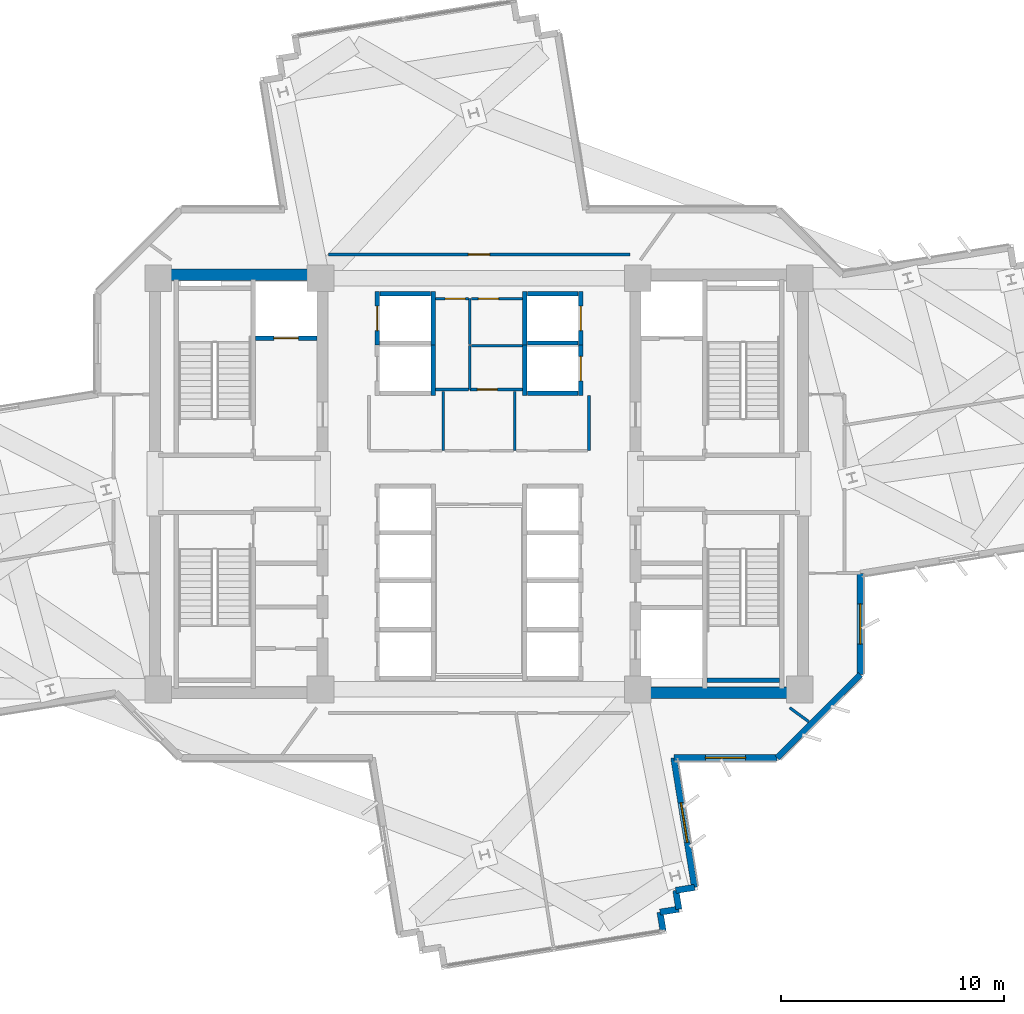
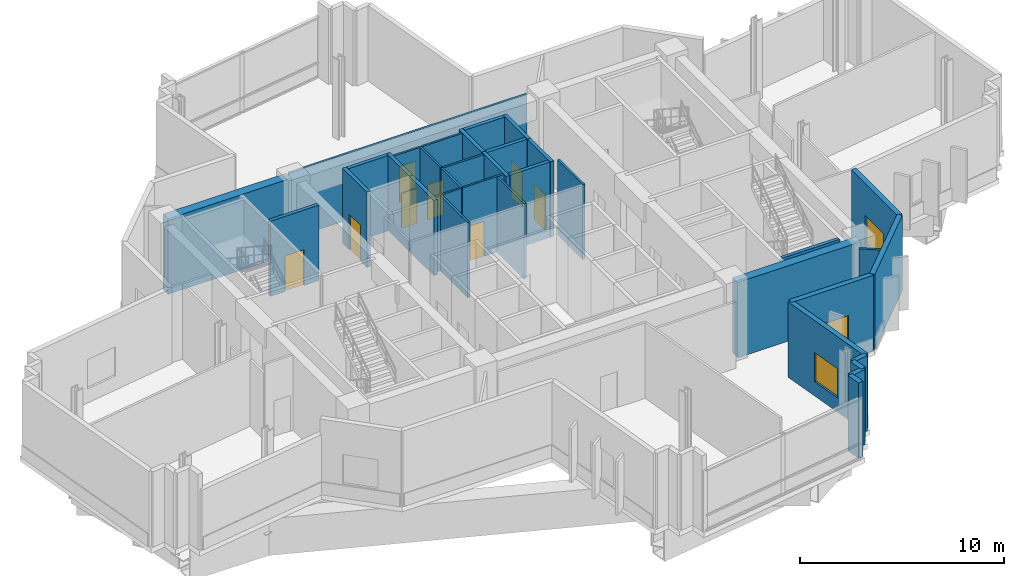
# One storey, part 7 of 12: 35 walls, 8 doors, 3 windows, 11 openings.
"""IFC4 building model written with IfcOpenShell, lengths in metres."""

from ifc_helpers import new_model, si_unit, direction, frame, frame_2d, origin, place, context, subcontext, project, spatial, rectangle, extrude, source, transform, mapped, material, layer, layer_set, type_object, element, fill, save


model = new_model("IFC4")

# Units and contexts
model_context = context("Model", 3, precision=1e-05, world=origin(), true_north=direction((0.0, 1.0)))
body_context = subcontext(model_context, "Body", "Model", "MODEL_VIEW")
ifc_project = project(units=[si_unit("LENGTHUNIT", "METRE"), si_unit("AREAUNIT", "SQUARE_METRE"), si_unit("VOLUMEUNIT", "CUBIC_METRE"), si_unit("PLANEANGLEUNIT", "RADIAN"), si_unit("MASSUNIT", "GRAM", prefix="KILO")], contexts=[model_context])

# Site, building, storey
site_placement = place(None, origin())
site = spatial("IfcSite", under=ifc_project, at=site_placement, CompositionType="ELEMENT")
building_placement = place(site_placement, origin())
building = spatial("IfcBuilding", under=site, at=building_placement, Name="Zahravan Cultural Tower", CompositionType="ELEMENT")
storey_placement = place(building_placement, frame((0.0, 0.0, 130.800048828125)))
storey = spatial("IfcBuildingStorey", under=building, at=storey_placement, Name="L29", CompositionType="ELEMENT", Elevation=130.800048828125)

# Wall, opening, window
ifc_material_1 = material(Name="Precast concrete C40/50", Category="concrete")
ifc_layer_1 = layer(ifc_material_1, 0.280029296875)
ifc_layer_set_1 = layer_set([ifc_layer_1], Name="Precast concrete C40/50")
wall_type_1 = type_object("IfcWallType", Name="EW-TC-280", PredefinedType="SOLIDWALL", material=ifc_layer_set_1)
wall_1_placement = place(storey_placement, frame((53.06005859375, 22.993408203125, 0.0), z_axis=(0.0, 0.0, 1.0), x_axis=(0.0, -1.0, 0.0)))
wall_1 = element("IfcWall", 1, at=wall_1_placement, inside=storey, type_object=wall_type_1, Name="L29 Exterior Masonry Frame Wall 12", PredefinedType="SOLIDWALL", context=body_context, shape_type="SweptSolid", body=[
    extrude(rectangle(XDim=4.535400390625, YDim=0.280029296875, at=frame_2d((2.267578125, 0.0))), origin(), (0.0, 0.0, 1.0), 4.52001953125),
])
opening_1_placement = place(wall_1_placement, frame((1.367919921875, 0.0, 0.85009765625)))
opening_1 = element("IfcOpeningElement", 2, at=opening_1_placement, cuts=wall_1, Name="Opening WN-02", PredefinedType="OPENING", context=body_context, shape_type="SweptSolid", body=[
    extrude(rectangle(XDim=1.800048828125, YDim=1.75, at=frame_2d((0.89990234375, 0.875))), frame((0.0, 0.14990234375, 0.0), z_axis=(0.0, -1.0, 0.0), x_axis=(1.0, 0.0, 0.0)), (0.0, 0.0, 1.0), 0.300048828125),
])
ifc_material_2 = material(Name="Low-E solar-control double glazing", Category="glass")
window_type = type_object("IfcWindowType", Name="WN-REC-1800X1750", PartitioningType="DOUBLE_PANEL_VERTICAL", PredefinedType="WINDOW", material=ifc_material_2)
shared_shape_1 = source(origin(), body_context, "Body", "SweptSolid", [
    extrude(rectangle(XDim=1.800048828125, YDim=1.75, at=frame_2d((0.89990234375, 0.875))), frame((0.0, 0.030029296875, 0.0), z_axis=(0.0, -1.0, 0.0), x_axis=(1.0, 0.0, 0.0)), (0.0, 0.0, 1.0), 0.06005859375),
])
window_1_placement = place(opening_1_placement, origin())
window_1 = element("IfcWindow", 3, at=window_1_placement, inside=storey, type_object=window_type, Name="L29 Recessed Solar Window 02", OverallHeight=1.75, OverallWidth=1.800048828125, PartitioningType="DOUBLE_PANEL_VERTICAL", PredefinedType="WINDOW", context=body_context, shape_type="MappedRepresentation", body=[
    mapped(shared_shape_1, transform((0.0, 0.0, 0.0), x_axis=(1.0, 0.0, 0.0), y_axis=(0.0, 1.0, 0.0), z_axis=(0.0, 0.0, 1.0), scale=1.0)),
])
fill(opening_1, window_1)

wall_2_placement = place(storey_placement, frame((49.342041015625, 14.739990234375, 0.0), z_axis=(0.0, 0.0, 1.0), x_axis=(-1.0, 0.0, 0.0)))
wall_2 = element("IfcWall", 4, at=wall_2_placement, inside=storey, type_object=wall_type_1, Name="L29 Exterior Masonry Frame Wall 14", PredefinedType="SOLIDWALL", context=body_context, shape_type="SweptSolid", body=[
    extrude(rectangle(XDim=4.628662109375, YDim=0.280029296875, at=frame_2d((2.314453125, 0.0))), origin(), (0.0, 0.0, 1.0), 4.52001953125),
])
opening_2_placement = place(wall_2_placement, frame((1.4140625, 0.0, 0.85009765625)))
opening_2 = element("IfcOpeningElement", 5, at=opening_2_placement, cuts=wall_2, Name="Opening WN-02", PredefinedType="OPENING", context=body_context, shape_type="SweptSolid", body=[
    extrude(rectangle(XDim=1.800048828125, YDim=1.75, at=frame_2d((0.89990234375, 0.875))), frame((0.0, 0.14990234375, 0.0), z_axis=(0.0, -1.0, 0.0), x_axis=(1.0, 0.0, 0.0)), (0.0, 0.0, 1.0), 0.300048828125),
])
window_2_placement = place(opening_2_placement, origin())
window_2 = element("IfcWindow", 6, at=window_2_placement, inside=storey, type_object=window_type, Name="L29 Recessed Solar Window 03", OverallHeight=1.75, OverallWidth=1.800048828125, PartitioningType="DOUBLE_PANEL_VERTICAL", PredefinedType="WINDOW", context=body_context, shape_type="MappedRepresentation", body=[
    mapped(shared_shape_1, transform((0.0, 0.0, 0.0), x_axis=(1.0, 0.0, 0.0), y_axis=(0.0, 1.0, 0.0), z_axis=(0.0, 0.0, 1.0), scale=1.0)),
])
fill(opening_2, window_2)

wall_3_placement = place(storey_placement, frame((44.71337890625, 14.739990234375, 0.0), z_axis=(0.0, 0.0, 1.0), x_axis=(0.158478405349, -0.987362443603, 0.0)))
wall_3 = element("IfcWall", 7, at=wall_3_placement, inside=storey, type_object=wall_type_1, Name="L29 Exterior Masonry Frame Wall 15", PredefinedType="SOLIDWALL", context=body_context, shape_type="SweptSolid", body=[
    extrude(rectangle(XDim=5.8740234375, YDim=0.280029296875, at=frame_2d((2.93701171875, 0.0))), origin(), (0.0, 0.0, 1.0), 4.52001953125),
])
opening_3_placement = place(wall_3_placement, frame((2.037109375, 0.0, 0.85009765625)))
opening_3 = element("IfcOpeningElement", 8, at=opening_3_placement, cuts=wall_3, Name="Opening WN-02", PredefinedType="OPENING", context=body_context, shape_type="SweptSolid", body=[
    extrude(rectangle(XDim=1.800048828125, YDim=1.75, at=frame_2d((0.89990234375, 0.875))), frame((0.0, 0.14990234375, 0.0), z_axis=(0.0, -1.0, 0.0), x_axis=(1.0, 0.0, 0.0)), (0.0, 0.0, 1.0), 0.300048828125),
])
window_3_placement = place(opening_3_placement, origin())
window_3 = element("IfcWindow", 9, at=window_3_placement, inside=storey, type_object=window_type, Name="L29 Recessed Solar Window 04", OverallHeight=1.75, OverallWidth=1.800048828125, PartitioningType="DOUBLE_PANEL_VERTICAL", PredefinedType="WINDOW", context=body_context, shape_type="MappedRepresentation", body=[
    mapped(shared_shape_1, transform((0.0, 0.0, 0.0), x_axis=(1.0, 0.0, 0.0), y_axis=(0.0, 1.0, 0.0), z_axis=(0.0, 0.0, 1.0), scale=1.0)),
])
fill(opening_3, window_3)

# Wall, opening, door
ifc_material_3 = material(Name="Gypsum plasterboard partition")
ifc_layer_2 = layer(ifc_material_3, 0.125)
ifc_layer_set_2 = layer_set([ifc_layer_2], Name="Gypsum plasterboard partition")
wall_type_2 = type_object("IfcWallType", Name="W-PART-125", PredefinedType="PARTITIONING", material=ifc_layer_set_2)
wall_4_placement = place(storey_placement, frame((42.744140625, 37.260009765625, 0.0), z_axis=(0.0, 0.0, 1.0), x_axis=(-0.999999999345, -3.6194509e-05, 0.0)))
wall_4 = element("IfcWall", 10, at=wall_4_placement, inside=storey, type_object=wall_type_2, Name="L29 Interior Wall 104", PredefinedType="PARTITIONING", context=body_context, shape_type="SweptSolid", body=[
    extrude(rectangle(XDim=13.490478515625, YDim=0.125, at=frame_2d((6.7451171875, 0.0))), origin(), (0.0, 0.0, 1.0), 3.97900390625),
])
opening_4_placement = place(wall_4_placement, frame((6.270263671875, 0.0, 0.0)))
opening_4 = element("IfcOpeningElement", 11, at=opening_4_placement, cuts=wall_4, Name="Opening D-L29-23", PredefinedType="OPENING", context=body_context, shape_type="SweptSolid", body=[
    extrude(rectangle(XDim=0.949951171875, YDim=2.14990234375, at=frame_2d((0.47509765625, 1.074951171875))), frame((0.0, 0.072509765625, 0.0), z_axis=(0.0, -1.0, 0.0), x_axis=(1.0, 0.0, 0.0)), (0.0, 0.0, 1.0), 0.14501953125),
])
ifc_material_4 = material(Name="Anodised bronze-aluminium mullion", Category="aluminium")
door_type_1 = type_object("IfcDoorType", Name="DR-ROOM-950", OperationType="NOTDEFINED", PredefinedType="DOOR", material=ifc_material_4)
shared_shape_2 = source(origin(), body_context, "Body", "SweptSolid", [
    extrude(rectangle(XDim=0.949951171875, YDim=2.14990234375, at=frame_2d((0.47509765625, 1.074951171875))), frame((0.0, 0.02490234375, 0.0), z_axis=(0.0, -1.0, 0.0), x_axis=(1.0, 0.0, 0.0)), (0.0, 0.0, 1.0), 0.050048828125),
])
door_1_placement = place(opening_4_placement, origin())
door_1 = element("IfcDoor", 12, at=door_1_placement, inside=storey, type_object=door_type_1, Name="L29 Door D-L29-23", OperationType="SINGLE_SWING_RIGHT", OverallHeight=2.14990234375, OverallWidth=0.949951171875, PredefinedType="DOOR", context=body_context, shape_type="MappedRepresentation", body=[
    mapped(shared_shape_2, transform((0.0, 0.0, 0.0), x_axis=(1.0, 0.0, 0.0), y_axis=(0.0, 1.0, 0.0), z_axis=(0.0, 0.0, 1.0), scale=1.0)),
])
fill(opening_4, door_1)

ifc_material_5 = material(Name="Concrete C45/55", Category="concrete")
ifc_layer_3 = layer(ifc_material_5, 0.199951171875)
ifc_layer_set_3 = layer_set([ifc_layer_3], Name="Concrete C45/55")
wall_type_3 = type_object("IfcWallType", Name="W-SHAFT-200", PredefinedType="SOLIDWALL", material=ifc_layer_set_3)
wall_5_placement = place(storey_placement, frame((26.0, 33.52001953125, 0.0), z_axis=(0.0, 0.0, 1.0), x_axis=(1.0, 0.0, 0.0)))
wall_5 = element("IfcWall", 13, at=wall_5_placement, inside=storey, type_object=wall_type_3, Name="L29 Interior Wall 021", PredefinedType="SOLIDWALL", context=body_context, shape_type="SweptSolid", body=[
    extrude(rectangle(XDim=2.75, YDim=0.199951171875, at=frame_2d((1.375, 0.0))), origin(), (0.0, 0.0, 1.0), 4.52001953125),
])
opening_5_placement = place(wall_5_placement, frame((0.820068359375, 0.0, 0.0)))
opening_5 = element("IfcOpeningElement", 14, at=opening_5_placement, cuts=wall_5, Name="Opening LD-L29-01", PredefinedType="OPENING", context=body_context, shape_type="SweptSolid", body=[
    extrude(rectangle(XDim=1.10009765625, YDim=2.14990234375, at=frame_2d((0.550048828125, 1.074951171875))), frame((0.0, 0.10986328125, 0.0), z_axis=(0.0, -1.0, 0.0), x_axis=(1.0, 0.0, 0.0)), (0.0, 0.0, 1.0), 0.219970703125),
])
ifc_material_6 = material(Name="Steel ASTM A572 Grade 50", Category="steel")
door_type_2 = type_object("IfcDoorType", Name="DR-LIFT-1100", OperationType="DOUBLE_DOOR_SLIDING", PredefinedType="DOOR", material=ifc_material_6)
shared_shape_3 = source(origin(), body_context, "Body", "SweptSolid", [
    extrude(rectangle(XDim=1.10009765625, YDim=2.14990234375, at=frame_2d((0.550048828125, 1.074951171875))), frame((0.0, 0.02490234375, 0.0), z_axis=(0.0, -1.0, 0.0), x_axis=(1.0, 0.0, 0.0)), (0.0, 0.0, 1.0), 0.050048828125),
])
door_2_placement = place(opening_5_placement, origin())
door_2 = element("IfcDoor", 15, at=door_2_placement, inside=storey, type_object=door_type_2, Name="L29 Door LD-L29-01", OperationType="DOUBLE_DOOR_SLIDING", OverallHeight=2.14990234375, OverallWidth=1.10009765625, PredefinedType="DOOR", context=body_context, shape_type="MappedRepresentation", body=[
    mapped(shared_shape_3, transform((0.0, 0.0, 0.0), x_axis=(1.0, 0.0, 0.0), y_axis=(0.0, 1.0, 0.0), z_axis=(0.0, 0.0, 1.0), scale=1.0)),
])
fill(opening_5, door_2)

wall_6_placement = place(storey_placement, frame((31.449951171875, 33.199951171875, 0.0), z_axis=(0.0, 0.0, 1.0), x_axis=(0.0, 1.0, 0.0)))
wall_6 = element("IfcWall", 16, at=wall_6_placement, inside=storey, type_object=wall_type_3, Name="L29 Interior Wall 029", PredefinedType="SOLIDWALL", context=body_context, shape_type="SweptSolid", body=[
    extrude(rectangle(XDim=2.400146484375, YDim=0.199951171875, at=frame_2d((1.2001953125, 0.0))), origin(), (0.0, 0.0, 1.0), 4.52001953125),
])
opening_6_placement = place(wall_6_placement, frame((0.64990234375, 0.0, 0.0)))
opening_6 = element("IfcOpeningElement", 17, at=opening_6_placement, cuts=wall_6, Name="Opening LD-L29-04", PredefinedType="OPENING", context=body_context, shape_type="SweptSolid", body=[
    extrude(rectangle(XDim=1.10009765625, YDim=2.14990234375, at=frame_2d((0.550048828125, 1.074951171875))), frame((0.0, 0.10986328125, 0.0), z_axis=(0.0, -1.0, 0.0), x_axis=(1.0, 0.0, 0.0)), (0.0, 0.0, 1.0), 0.219970703125),
])
door_3_placement = place(opening_6_placement, origin())
door_3 = element("IfcDoor", 18, at=door_3_placement, inside=storey, type_object=door_type_2, Name="L29 Door LD-L29-04", OperationType="DOUBLE_DOOR_SLIDING", OverallHeight=2.14990234375, OverallWidth=1.10009765625, PredefinedType="DOOR", context=body_context, shape_type="MappedRepresentation", body=[
    mapped(shared_shape_3, transform((0.0, 0.0, 0.0), x_axis=(1.0, 0.0, 0.0), y_axis=(0.0, 1.0, 0.0), z_axis=(0.0, 0.0, 1.0), scale=1.0)),
])
fill(opening_6, door_3)

wall_7_placement = place(storey_placement, frame((40.550048828125, 33.199951171875, 0.0), z_axis=(0.0, 0.0, 1.0), x_axis=(0.0, 1.0, 0.0)))
wall_7 = element("IfcWall", 19, at=wall_7_placement, inside=storey, type_object=wall_type_3, Name="L29 Interior Wall 037", PredefinedType="SOLIDWALL", context=body_context, shape_type="SweptSolid", body=[
    extrude(rectangle(XDim=2.400146484375, YDim=0.199951171875, at=frame_2d((1.2001953125, 0.0))), origin(), (0.0, 0.0, 1.0), 4.52001953125),
])
opening_7_placement = place(wall_7_placement, frame((0.64990234375, 0.0, 0.0)))
opening_7 = element("IfcOpeningElement", 20, at=opening_7_placement, cuts=wall_7, Name="Opening LD-L29-06", PredefinedType="OPENING", context=body_context, shape_type="SweptSolid", body=[
    extrude(rectangle(XDim=1.10009765625, YDim=2.14990234375, at=frame_2d((0.550048828125, 1.074951171875))), frame((0.0, 0.10986328125, 0.0), z_axis=(0.0, -1.0, 0.0), x_axis=(1.0, 0.0, 0.0)), (0.0, 0.0, 1.0), 0.219970703125),
])
door_4_placement = place(opening_7_placement, origin())
door_4 = element("IfcDoor", 21, at=door_4_placement, inside=storey, type_object=door_type_2, Name="L29 Door LD-L29-06", OperationType="DOUBLE_DOOR_SLIDING", OverallHeight=2.14990234375, OverallWidth=1.10009765625, PredefinedType="DOOR", context=body_context, shape_type="MappedRepresentation", body=[
    mapped(shared_shape_3, transform((0.0, 0.0, 0.0), x_axis=(1.0, 0.0, 0.0), y_axis=(0.0, 1.0, 0.0), z_axis=(0.0, 0.0, 1.0), scale=1.0)),
])
fill(opening_7, door_4)

wall_8_placement = place(storey_placement, frame((40.550048828125, 30.949951171875, 0.0), z_axis=(0.0, 0.0, 1.0), x_axis=(0.0, 1.0, 0.0)))
wall_8 = element("IfcWall", 22, at=wall_8_placement, inside=storey, type_object=wall_type_3, Name="L29 Interior Wall 041", PredefinedType="SOLIDWALL", context=body_context, shape_type="SweptSolid", body=[
    extrude(rectangle(XDim=2.400146484375, YDim=0.199951171875, at=frame_2d((1.2001953125, 0.0))), origin(), (0.0, 0.0, 1.0), 4.52001953125),
])
opening_8_placement = place(wall_8_placement, frame((0.64990234375, 0.0, 0.0)))
opening_8 = element("IfcOpeningElement", 23, at=opening_8_placement, cuts=wall_8, Name="Opening LD-L29-07", PredefinedType="OPENING", context=body_context, shape_type="SweptSolid", body=[
    extrude(rectangle(XDim=1.10009765625, YDim=2.14990234375, at=frame_2d((0.550048828125, 1.074951171875))), frame((0.0, 0.10986328125, 0.0), z_axis=(0.0, -1.0, 0.0), x_axis=(1.0, 0.0, 0.0)), (0.0, 0.0, 1.0), 0.219970703125),
])
door_5_placement = place(opening_8_placement, origin())
door_5 = element("IfcDoor", 24, at=door_5_placement, inside=storey, type_object=door_type_2, Name="L29 Door LD-L29-07", OperationType="DOUBLE_DOOR_SLIDING", OverallHeight=2.14990234375, OverallWidth=1.10009765625, PredefinedType="DOOR", context=body_context, shape_type="MappedRepresentation", body=[
    mapped(shared_shape_3, transform((0.0, 0.0, 0.0), x_axis=(1.0, 0.0, 0.0), y_axis=(0.0, 1.0, 0.0), z_axis=(0.0, 0.0, 1.0), scale=1.0)),
])
fill(opening_8, door_5)

ifc_layer_4 = layer(ifc_material_3, 0.114990234375)
ifc_layer_set_4 = layer_set([ifc_layer_4], Name="Gypsum plasterboard partition")
wall_type_4 = type_object("IfcWallType", Name="W-WC-115", PredefinedType="PARTITIONING", material=ifc_layer_set_4)
wall_9_placement = place(storey_placement, frame((37.945068359375, 31.219970703125, 0.0), z_axis=(0.0, 0.0, 1.0), x_axis=(-1.0, 0.0, 0.0)))
wall_9 = element("IfcWall", 25, at=wall_9_placement, inside=storey, type_object=wall_type_4, Name="L29 Interior Wall 069", PredefinedType="PARTITIONING", context=body_context, shape_type="SweptSolid", body=[
    extrude(rectangle(XDim=2.35498046875, YDim=0.114990234375, at=frame_2d((1.177490234375, 0.0))), origin(), (0.0, 0.0, 1.0), 4.52001953125),
])
opening_9_placement = place(wall_9_placement, frame((1.120849609375, 0.0, 0.0)))
opening_9 = element("IfcOpeningElement", 26, at=opening_9_placement, cuts=wall_9, Name="Opening D-L29-26", PredefinedType="OPENING", context=body_context, shape_type="SweptSolid", body=[
    extrude(rectangle(XDim=0.89990234375, YDim=2.10009765625, at=frame_2d((0.449951171875, 1.050048828125))), frame((0.0, 0.0673828125, 0.0), z_axis=(0.0, -1.0, 0.0), x_axis=(1.0, 0.0, 0.0)), (0.0, 0.0, 1.0), 0.135009765625),
])
door_type_3 = type_object("IfcDoorType", Name="DR-WC-900", OperationType="NOTDEFINED", PredefinedType="DOOR", material=ifc_material_4)
shared_shape_4 = source(origin(), body_context, "Body", "SweptSolid", [
    extrude(rectangle(XDim=0.89990234375, YDim=2.10009765625, at=frame_2d((0.449951171875, 1.050048828125))), frame((0.0, 0.02490234375, 0.0), z_axis=(0.0, -1.0, 0.0), x_axis=(1.0, 0.0, 0.0)), (0.0, 0.0, 1.0), 0.050048828125),
])
door_6_placement = place(opening_9_placement, origin())
door_6 = element("IfcDoor", 27, at=door_6_placement, inside=storey, type_object=door_type_3, Name="L29 Door D-L29-26", OperationType="SINGLE_SWING_LEFT", OverallHeight=2.10009765625, OverallWidth=0.89990234375, PredefinedType="DOOR", context=body_context, shape_type="MappedRepresentation", body=[
    mapped(shared_shape_4, transform((0.0, 0.0, 0.0), x_axis=(1.0, 0.0, 0.0), y_axis=(0.0, 1.0, 0.0), z_axis=(0.0, 0.0, 1.0), scale=1.0)),
])
fill(opening_9, door_6)

wall_10_placement = place(storey_placement, frame((35.652587890625, 35.280029296875, 0.0), z_axis=(0.0, 0.0, 1.0), x_axis=(1.0, 0.0, 0.0)))
wall_10 = element("IfcWall", 28, at=wall_10_placement, inside=storey, type_object=wall_type_4, Name="L29 Interior Wall 073", PredefinedType="PARTITIONING", context=body_context, shape_type="SweptSolid", body=[
    extrude(rectangle(XDim=2.29248046875, YDim=0.114990234375, at=frame_2d((1.146240234375, 0.0))), origin(), (0.0, 0.0, 1.0), 4.52001953125),
])
opening_10_placement = place(wall_10_placement, frame((0.3203125, 0.0, 0.0)))
opening_10 = element("IfcOpeningElement", 29, at=opening_10_placement, cuts=wall_10, Name="Opening D-L29-14", PredefinedType="OPENING", context=body_context, shape_type="SweptSolid", body=[
    extrude(rectangle(XDim=0.89990234375, YDim=2.10009765625, at=frame_2d((0.449951171875, 1.050048828125))), frame((0.0, 0.0673828125, 0.0), z_axis=(0.0, -1.0, 0.0), x_axis=(1.0, 0.0, 0.0)), (0.0, 0.0, 1.0), 0.135009765625),
])
door_7_placement = place(opening_10_placement, origin())
door_7 = element("IfcDoor", 30, at=door_7_placement, inside=storey, type_object=door_type_3, Name="L29 Door D-L29-14", OperationType="SINGLE_SWING_LEFT", OverallHeight=2.10009765625, OverallWidth=0.89990234375, PredefinedType="DOOR", context=body_context, shape_type="MappedRepresentation", body=[
    mapped(shared_shape_4, transform((0.0, 0.0, 0.0), x_axis=(1.0, 0.0, 0.0), y_axis=(0.0, 1.0, 0.0), z_axis=(0.0, 0.0, 1.0), scale=1.0)),
])
fill(opening_10, door_7)

wall_11_placement = place(storey_placement, frame((34.054931640625, 35.280029296875, 0.0), z_axis=(0.0, 0.0, 1.0), x_axis=(1.0, 0.0, 0.0)))
wall_11 = element("IfcWall", 31, at=wall_11_placement, inside=storey, type_object=wall_type_4, Name="L29 Interior Wall 075", PredefinedType="PARTITIONING", context=body_context, shape_type="SweptSolid", body=[
    extrude(rectangle(XDim=1.47265625, YDim=0.114990234375, at=frame_2d((0.736328125, 0.0))), origin(), (0.0, 0.0, 1.0), 4.52001953125),
])
opening_11_placement = place(wall_11_placement, frame((0.4326171875, 0.0, 0.0)))
opening_11 = element("IfcOpeningElement", 32, at=opening_11_placement, cuts=wall_11, Name="Opening D-L29-13", PredefinedType="OPENING", context=body_context, shape_type="SweptSolid", body=[
    extrude(rectangle(XDim=0.89990234375, YDim=2.10009765625, at=frame_2d((0.449951171875, 1.050048828125))), frame((0.0, 0.0673828125, 0.0), z_axis=(0.0, -1.0, 0.0), x_axis=(1.0, 0.0, 0.0)), (0.0, 0.0, 1.0), 0.135009765625),
])
door_8_placement = place(opening_11_placement, origin())
door_8 = element("IfcDoor", 33, at=door_8_placement, inside=storey, type_object=door_type_3, Name="L29 Door D-L29-13", OperationType="SINGLE_SWING_RIGHT", OverallHeight=2.10009765625, OverallWidth=0.89990234375, PredefinedType="DOOR", context=body_context, shape_type="MappedRepresentation", body=[
    mapped(shared_shape_4, transform((0.0, 0.0, 0.0), x_axis=(1.0, 0.0, 0.0), y_axis=(0.0, 1.0, 0.0), z_axis=(0.0, 0.0, 1.0), scale=1.0)),
])
fill(opening_11, door_8)

# Walls
ifc_material_7 = material(Name="Concrete C60/75", Category="concrete")
ifc_layer_5 = layer(ifc_material_7, 0.5)
ifc_layer_set_5 = layer_set([ifc_layer_5], Name="Concrete C60/75")
wall_type_5 = type_object("IfcWallType", Name="CW-SHEAR-500-C60", PredefinedType="SHEAR", material=ifc_layer_set_5)
shared_shape_5 = source(origin(), body_context, "Body", "SweptSolid", [
    extrude(rectangle(XDim=7.0, YDim=0.5, at=frame_2d((3.5, 0.0))), origin(), (0.0, 0.0, 1.0), 4.52001953125),
])
for number, where, z_axis, x_axis, name in (
    (34, (21.75, 36.35009765625, 0.0), (0.0, 0.0, 1.0), (1.0, 0.0, 0.0), "L29 Core Shear Wall CW-W-N-L29"),
    (35, (43.25, 17.64990234375, 0.0), (0.0, 0.0, 1.0), (1.0, 0.0, 0.0), "L29 Core Shear Wall CW-E-S-L29"),
):
    element("IfcWall", number, at=place(storey_placement, frame(where, z_axis=z_axis, x_axis=x_axis)), inside=storey, type_object=wall_type_5, Name=name, PredefinedType="SHEAR", context=body_context, shape_type="MappedRepresentation", body=[
        mapped(shared_shape_5, transform((0.0, 0.0, 0.0), x_axis=(1.0, 0.0, 0.0), y_axis=(0.0, 1.0, 0.0), z_axis=(0.0, 0.0, 1.0), scale=1.0)),
    ])
shared_shape_6 = source(origin(), body_context, "Body", "SweptSolid", [
    extrude(rectangle(XDim=0.849853515625, YDim=0.280029296875, at=frame_2d((0.4248046875, 0.0))), origin(), (0.0, 0.0, 1.0), 4.52001953125),
])
for number, where, z_axis, x_axis, name in (
    (36, (45.644287109375, 8.940185546875, 0.0), (0.0, 0.0, 1.0), (-0.987392182174, -0.158293014948, 0.0), "L29 Exterior Masonry Frame Wall 16"),
    (37, (44.1005859375, 7.83154296875, 0.0), (0.0, 0.0, 1.0), (0.15857308062, -0.98734724292, 0.0), "L29 Exterior Masonry Frame Wall 19"),
):
    element("IfcWall", number, at=place(storey_placement, frame(where, z_axis=z_axis, x_axis=x_axis)), inside=storey, type_object=wall_type_1, Name=name, PredefinedType="SOLIDWALL", context=body_context, shape_type="MappedRepresentation", body=[
        mapped(shared_shape_6, transform((0.0, 0.0, 0.0), x_axis=(1.0, 0.0, 0.0), y_axis=(0.0, 1.0, 0.0), z_axis=(0.0, 0.0, 1.0), scale=1.0)),
    ])
shared_shape_7 = source(origin(), body_context, "Body", "SweptSolid", [
    extrude(rectangle(XDim=0.85009765625, YDim=0.280029296875, at=frame_2d((0.425048828125, 0.0))), origin(), (0.0, 0.0, 1.0), 4.52001953125),
])
for number, where, z_axis, x_axis, name in (
    (38, (44.80517578125, 8.8056640625, 0.0), (0.0, 0.0, 1.0), (0.158528116284, -0.987354463376, 0.0), "L29 Exterior Masonry Frame Wall 17"),
    (39, (44.93994140625, 7.96630859375, 0.0), (0.0, 0.0, 1.0), (-0.987354463376, -0.158528116284, 0.0), "L29 Exterior Masonry Frame Wall 18"),
):
    element("IfcWall", number, at=place(storey_placement, frame(where, z_axis=z_axis, x_axis=x_axis)), inside=storey, type_object=wall_type_1, Name=name, PredefinedType="SOLIDWALL", context=body_context, shape_type="MappedRepresentation", body=[
        mapped(shared_shape_7, transform((0.0, 0.0, 0.0), x_axis=(1.0, 0.0, 0.0), y_axis=(0.0, 1.0, 0.0), z_axis=(0.0, 0.0, 1.0), scale=1.0)),
    ])
shared_shape_8 = source(origin(), body_context, "Body", "SweptSolid", [
    extrude(rectangle(XDim=5.258056640625, YDim=0.280029296875, at=frame_2d((2.62890625, 0.0))), origin(), (0.0, 0.0, 1.0), 4.52001953125),
])
wall_12_placement = place(storey_placement, frame((53.06005859375, 18.4580078125, 0.0), z_axis=(0.0, 0.0, 1.0), x_axis=(-0.707106781187, -0.707106781187, 0.0)))
element("IfcWall", 40, at=wall_12_placement, inside=storey, type_object=wall_type_1, Name="L29 Exterior Masonry Frame Wall 13", PredefinedType="SOLIDWALL", context=body_context, shape_type="MappedRepresentation", body=[
    mapped(shared_shape_8, transform((0.0, 0.0, 0.0), x_axis=(1.0, 0.0, 0.0), y_axis=(0.0, 1.0, 0.0), z_axis=(0.0, 0.0, 1.0), scale=1.0)),
])
shared_shape_9 = source(origin(), body_context, "Body", "SweptSolid", [
    extrude(rectangle(XDim=3.25, YDim=0.199951171875, at=frame_2d((1.625, 0.0))), origin(), (0.0, 0.0, 1.0), 4.52001953125),
])
wall_13_placement = place(storey_placement, frame((46.199951171875, 18.199951171875, 0.0), z_axis=(0.0, 0.0, 1.0), x_axis=(1.0, 0.0, 0.0)))
element("IfcWall", 41, at=wall_13_placement, inside=storey, type_object=wall_type_3, Name="L29 Interior Wall 020", PredefinedType="SOLIDWALL", context=body_context, shape_type="MappedRepresentation", body=[
    mapped(shared_shape_9, transform((0.0, 0.0, 0.0), x_axis=(1.0, 0.0, 0.0), y_axis=(0.0, 1.0, 0.0), z_axis=(0.0, 0.0, 1.0), scale=1.0)),
])
shared_shape_10 = source(origin(), body_context, "Body", "SweptSolid", [
    extrude(rectangle(XDim=2.400146484375, YDim=0.199951171875, at=frame_2d((1.2001953125, 0.0))), origin(), (0.0, 0.0, 1.0), 4.52001953125),
])
for number, where, z_axis, x_axis, name in (
    (42, (33.949951171875, 33.199951171875, 0.0), (0.0, 0.0, 1.0), (0.0, 1.0, 0.0), "L29 Interior Wall 030"),
    (43, (33.949951171875, 30.949951171875, 0.0), (0.0, 0.0, 1.0), (0.0, 1.0, 0.0), "L29 Interior Wall 034"),
    (44, (38.050048828125, 33.199951171875, 0.0), (0.0, 0.0, 1.0), (0.0, 1.0, 0.0), "L29 Interior Wall 036"),
    (45, (38.050048828125, 30.949951171875, 0.0), (0.0, 0.0, 1.0), (0.0, 1.0, 0.0), "L29 Interior Wall 040"),
):
    element("IfcWall", number, at=place(storey_placement, frame(where, z_axis=z_axis, x_axis=x_axis)), inside=storey, type_object=wall_type_3, Name=name, PredefinedType="SOLIDWALL", context=body_context, shape_type="MappedRepresentation", body=[
        mapped(shared_shape_10, transform((0.0, 0.0, 0.0), x_axis=(1.0, 0.0, 0.0), y_axis=(0.0, 1.0, 0.0), z_axis=(0.0, 0.0, 1.0), scale=1.0)),
    ])
shared_shape_11 = source(origin(), body_context, "Body", "SweptSolid", [
    extrude(rectangle(XDim=2.260009765625, YDim=0.199951171875, at=frame_2d((1.1298828125, 0.0))), origin(), (0.0, 0.0, 1.0), 4.52001953125),
])
for number, where, z_axis, x_axis, name in (
    (46, (31.570068359375, 35.5, 0.0), (0.0, 0.0, 1.0), (1.0, 0.0, 0.0), "L29 Interior Wall 032"),
    (47, (38.169921875, 33.300048828125, 0.0), (0.0, 0.0, 1.0), (1.0, 0.0, 0.0), "L29 Interior Wall 038"),
    (48, (38.169921875, 35.5, 0.0), (0.0, 0.0, 1.0), (1.0, 0.0, 0.0), "L29 Interior Wall 039"),
    (49, (38.169921875, 31.050048828125, 0.0), (0.0, 0.0, 1.0), (1.0, 0.0, 0.0), "L29 Interior Wall 042"),
):
    element("IfcWall", number, at=place(storey_placement, frame(where, z_axis=z_axis, x_axis=x_axis)), inside=storey, type_object=wall_type_3, Name=name, PredefinedType="SOLIDWALL", context=body_context, shape_type="MappedRepresentation", body=[
        mapped(shared_shape_11, transform((0.0, 0.0, 0.0), x_axis=(1.0, 0.0, 0.0), y_axis=(0.0, 1.0, 0.0), z_axis=(0.0, 0.0, 1.0), scale=1.0)),
    ])
shared_shape_12 = source(origin(), body_context, "Body", "SweptSolid", [
    extrude(rectangle(XDim=1.9599609375, YDim=0.114990234375, at=frame_2d((0.97998046875, 0.0))), origin(), (0.0, 0.0, 1.0), 4.52001953125),
])
wall_14_placement = place(storey_placement, frame((35.590087890625, 31.219970703125, 0.0), z_axis=(0.0, 0.0, 1.0), x_axis=(0.0, 1.0, 0.0)))
element("IfcWall", 50, at=wall_14_placement, inside=storey, type_object=wall_type_4, Name="L29 Interior Wall 070", PredefinedType="PARTITIONING", context=body_context, shape_type="MappedRepresentation", body=[
    mapped(shared_shape_12, transform((0.0, 0.0, 0.0), x_axis=(1.0, 0.0, 0.0), y_axis=(0.0, 1.0, 0.0), z_axis=(0.0, 0.0, 1.0), scale=1.0)),
])
shared_shape_13 = source(origin(), body_context, "Body", "SweptSolid", [
    extrude(rectangle(XDim=2.29248046875, YDim=0.114990234375, at=frame_2d((1.146240234375, 0.0))), origin(), (0.0, 0.0, 1.0), 4.52001953125),
])
wall_15_placement = place(storey_placement, frame((35.652587890625, 33.179931640625, 0.0), z_axis=(0.0, 0.0, 1.0), x_axis=(1.0, 0.0, 0.0)))
element("IfcWall", 51, at=wall_15_placement, inside=storey, type_object=wall_type_4, Name="L29 Interior Wall 071", PredefinedType="PARTITIONING", context=body_context, shape_type="MappedRepresentation", body=[
    mapped(shared_shape_13, transform((0.0, 0.0, 0.0), x_axis=(1.0, 0.0, 0.0), y_axis=(0.0, 1.0, 0.0), z_axis=(0.0, 0.0, 1.0), scale=1.0)),
])
shared_shape_14 = source(origin(), body_context, "Body", "SweptSolid", [
    extrude(rectangle(XDim=2.0400390625, YDim=0.114990234375, at=frame_2d((1.02001953125, 0.0))), origin(), (0.0, 0.0, 1.0), 4.52001953125),
])
wall_16_placement = place(storey_placement, frame((35.590087890625, 33.239990234375, 0.0), z_axis=(0.0, 0.0, 1.0), x_axis=(0.0, 1.0, 0.0)))
element("IfcWall", 52, at=wall_16_placement, inside=storey, type_object=wall_type_4, Name="L29 Interior Wall 072", PredefinedType="PARTITIONING", context=body_context, shape_type="MappedRepresentation", body=[
    mapped(shared_shape_14, transform((0.0, 0.0, 0.0), x_axis=(1.0, 0.0, 0.0), y_axis=(0.0, 1.0, 0.0), z_axis=(0.0, 0.0, 1.0), scale=1.0)),
])
shared_shape_15 = source(origin(), body_context, "Body", "SweptSolid", [
    extrude(rectangle(XDim=1.47265625, YDim=0.114990234375, at=frame_2d((0.736328125, 0.0))), origin(), (0.0, 0.0, 1.0), 4.52001953125),
])
wall_17_placement = place(storey_placement, frame((35.527587890625, 31.219970703125, 0.0), z_axis=(0.0, 0.0, 1.0), x_axis=(-1.0, 0.0, 0.0)))
element("IfcWall", 53, at=wall_17_placement, inside=storey, type_object=wall_type_4, Name="L29 Interior Wall 074", PredefinedType="PARTITIONING", context=body_context, shape_type="MappedRepresentation", body=[
    mapped(shared_shape_15, transform((0.0, 0.0, 0.0), x_axis=(1.0, 0.0, 0.0), y_axis=(0.0, 1.0, 0.0), z_axis=(0.0, 0.0, 1.0), scale=1.0)),
])
shared_shape_16 = source(origin(), body_context, "Body", "SweptSolid", [
    extrude(rectangle(XDim=2.659912109375, YDim=0.125, at=frame_2d((1.330078125, 0.0))), origin(), (0.0, 0.0, 1.0), 4.52001953125),
])
for number, where, z_axis, x_axis, name in (
    (54, (34.39990234375, 28.47998046875, 0.0), (0.0, 0.0, 1.0), (0.0, 1.0, 0.0), "L29 Interior Wall 076"),
    (55, (37.60009765625, 31.139892578125, 0.0), (0.0, 0.0, 1.0), (0.0, -1.0, 0.0), "L29 Interior Wall 077"),
):
    element("IfcWall", number, at=place(storey_placement, frame(where, z_axis=z_axis, x_axis=x_axis)), inside=storey, type_object=wall_type_2, Name=name, PredefinedType="PARTITIONING", context=body_context, shape_type="MappedRepresentation", body=[
        mapped(shared_shape_16, transform((0.0, 0.0, 0.0), x_axis=(1.0, 0.0, 0.0), y_axis=(0.0, 1.0, 0.0), z_axis=(0.0, 0.0, 1.0), scale=1.0)),
    ])
shared_shape_17 = source(origin(), body_context, "Body", "SweptSolid", [
    extrude(rectangle(XDim=2.469970703125, YDim=0.125, at=frame_2d((1.23486328125, 0.0))), origin(), (0.0, 0.0, 1.0), 4.52001953125),
])
wall_18_placement = place(storey_placement, frame((40.919921875, 30.949951171875, 0.0), z_axis=(0.0, 0.0, 1.0), x_axis=(0.0, -1.0, 0.0)))
element("IfcWall", 56, at=wall_18_placement, inside=storey, type_object=wall_type_2, Name="L29 Interior Wall 081", PredefinedType="PARTITIONING", context=body_context, shape_type="MappedRepresentation", body=[
    mapped(shared_shape_17, transform((0.0, 0.0, 0.0), x_axis=(1.0, 0.0, 0.0), y_axis=(0.0, 1.0, 0.0), z_axis=(0.0, 0.0, 1.0), scale=1.0)),
])
shared_shape_18 = source(origin(), body_context, "Body", "SweptSolid", [
    extrude(rectangle(XDim=1.05712890625, YDim=0.125, at=frame_2d((0.528564453125, 0.0))), origin(), (0.0, 0.0, 1.0), 4.52001953125),
])
wall_19_placement = place(storey_placement, frame((49.899658203125, 16.97998046875, 0.0), z_axis=(0.0, 0.0, 1.0), x_axis=(0.80755610306, -0.589790759855, 0.0)))
element("IfcWall", 57, at=wall_19_placement, inside=storey, type_object=wall_type_2, Name="L29 Interior Wall 089", PredefinedType="PARTITIONING", context=body_context, shape_type="MappedRepresentation", body=[
    mapped(shared_shape_18, transform((0.0, 0.0, 0.0), x_axis=(1.0, 0.0, 0.0), y_axis=(0.0, 1.0, 0.0), z_axis=(0.0, 0.0, 1.0), scale=1.0)),
])

save(model, "model.ifc")
